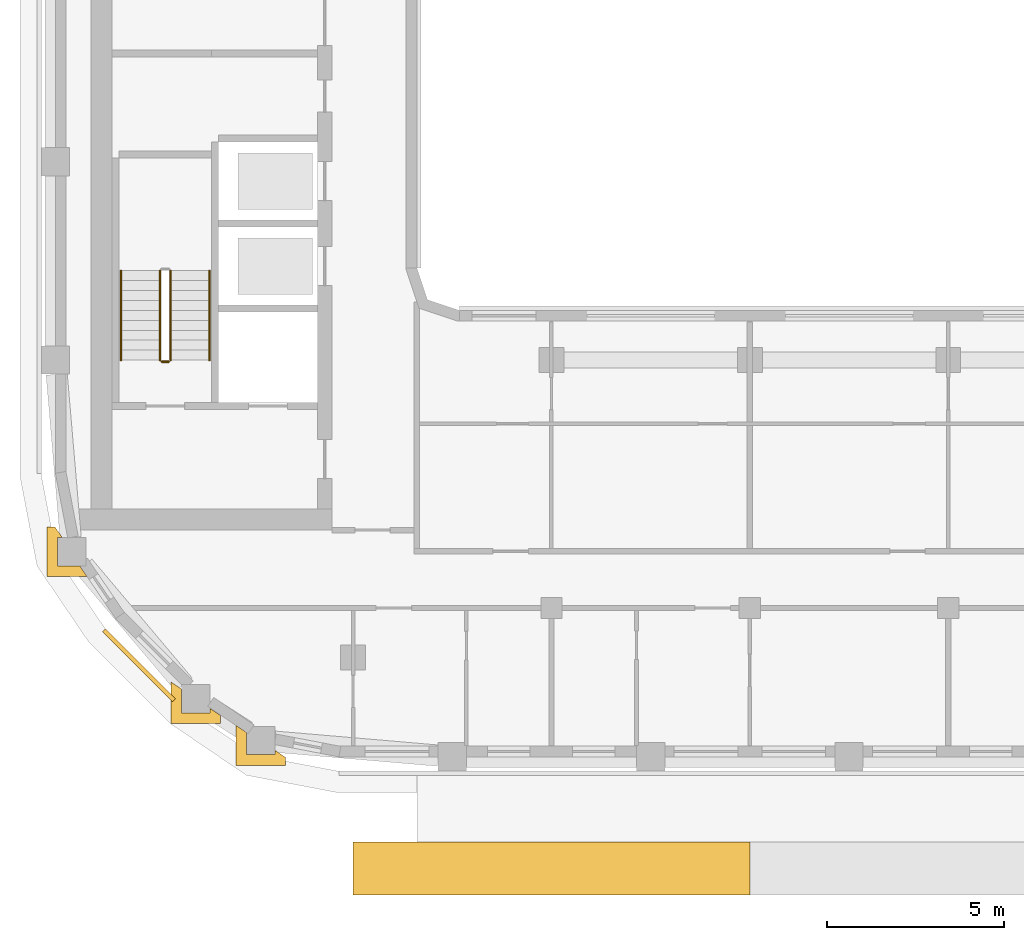
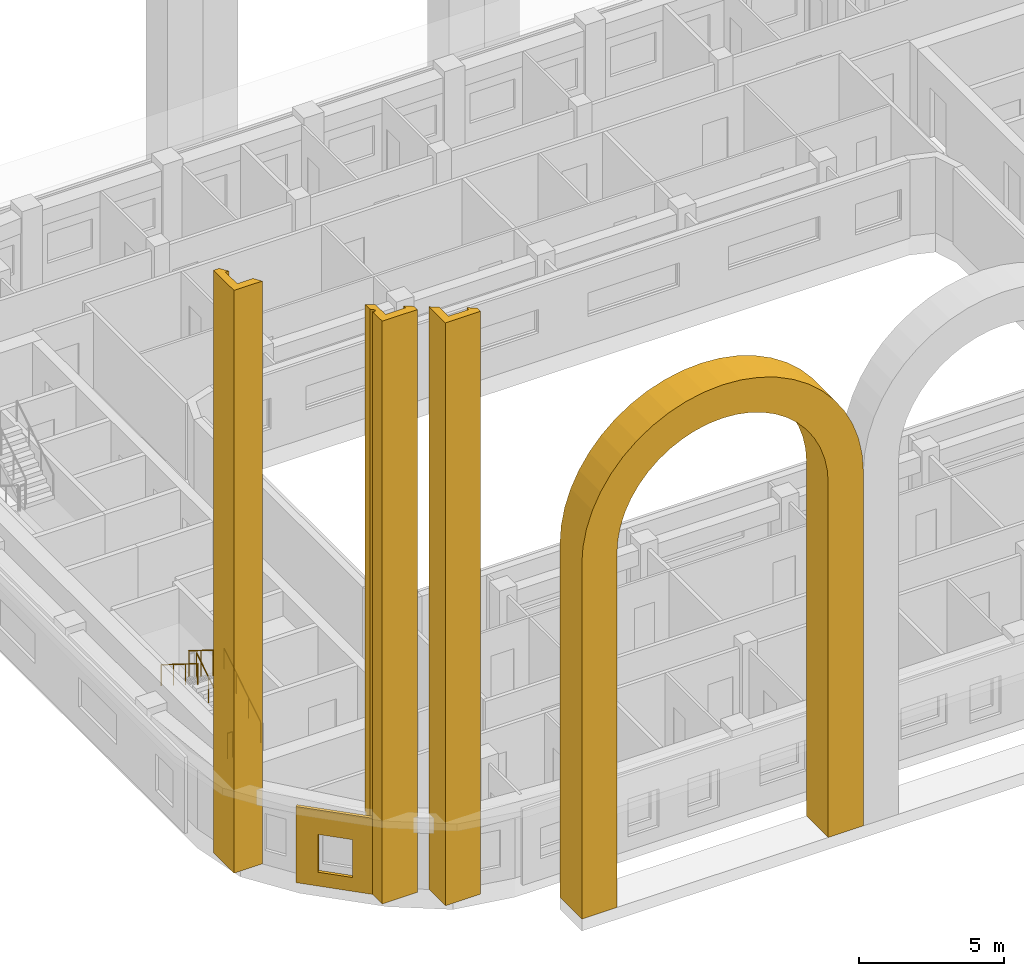
# One storey, part 10 of 19: 5 coverings, 5 railings.
"""IFC4 building model written with IfcOpenShell, lengths in metres."""

from ifc_helpers import new_model, si_unit, direction, frame, origin, origin_2d, place, context, subcontext, project, spatial, polyline, circle, outline, extrude, material, layer, layer_set, type_object, element, save


model = new_model("IFC4")

# Units and contexts
model_context = context("Model", 3, precision=1e-05, world=origin(), true_north=direction((0.0, 1.0)))
body_context = subcontext(model_context, "Body", "Model", "MODEL_VIEW")
ifc_project = project(units=[si_unit("LENGTHUNIT", "METRE"), si_unit("AREAUNIT", "SQUARE_METRE"), si_unit("VOLUMEUNIT", "CUBIC_METRE"), si_unit("PLANEANGLEUNIT", "RADIAN"), si_unit("MASSUNIT", "GRAM", prefix="KILO")], contexts=[model_context])

# Site, building, storey
site_placement = place(None, origin())
site = spatial("IfcSite", under=ifc_project, at=site_placement, CompositionType="ELEMENT")
building_placement = place(site_placement, origin())
building = spatial("IfcBuilding", under=site, at=building_placement, Name="Kiln Ring Residences", CompositionType="ELEMENT")
storey_placement = place(building_placement, frame((0.0, 0.0, 241.699951171875)))
storey = spatial("IfcBuildingStorey", under=building, at=storey_placement, Name="L62", CompositionType="ELEMENT", Elevation=241.699951171875)

# Covering
ifc_material_1 = material(Name="Brick masonry, dark clay brick", Category="masonry")
ifc_layer_1 = layer(ifc_material_1, 1.39990234375)
ifc_layer_set_1 = layer_set([ifc_layer_1], Name="ARCH SURROUND 1500")
covering_type_1 = type_object("IfcCoveringType", Name="ARCH SURROUND 1500", PredefinedType="CLADDING", material=ifc_layer_set_1)
covering_1_placement = place(storey_placement, frame((-5.60009765625, -22.75, 0.5), z_axis=(0.0, 0.0, 1.0), x_axis=(-1.0, 0.0, 0.0)))
element("IfcCovering", 1, at=covering_1_placement, inside=storey, type_object=covering_type_1, Name="ARCH SURROUND Z5 S1.1", PredefinedType="CLADDING", context=body_context, shape_type="SweptSolid", body=[
    extrude(outline(polyline([(11.199951171875, 0.0), (11.199951171875, 14.900146484375), (11.152099609375, 15.630859375), (11.00927734375, 16.349365234375), (10.773681640625, 17.04296875), (10.44970703125, 17.699951171875), (10.042724609375, 18.30908203125), (9.559814453125, 18.85986328125), (9.009033203125, 19.3427734375), (8.39990234375, 19.749755859375), (7.742919921875, 20.07373046875), (7.04931640625, 20.309326171875), (6.330810546875, 20.4521484375), (5.60009765625, 20.5), (4.869140625, 20.4521484375), (4.150634765625, 20.309326171875), (3.45703125, 20.07373046875), (2.800048828125, 19.749755859375), (2.19091796875, 19.3427734375), (1.64013671875, 18.85986328125), (1.1572265625, 18.30908203125), (0.750244140625, 17.699951171875), (0.42626953125, 17.04296875), (0.19091796875, 16.349365234375), (0.0478515625, 15.630859375), (0.0, 14.900146484375), (0.0, 0.0), (1.39990234375, 0.0), (1.39990234375, 14.900146484375), (1.435791015625, 15.4482421875), (1.543212890625, 15.987060546875), (1.7197265625, 16.50732421875), (1.962646484375, 17.0), (2.267822265625, 17.456787109375), (2.630126953125, 17.869873046875), (3.043212890625, 18.232177734375), (3.5, 18.537353515625), (3.99267578125, 18.7802734375), (4.512939453125, 18.95703125), (5.0517578125, 19.064208984375), (5.60009765625, 19.10009765625), (6.148193359375, 19.064208984375), (6.68701171875, 18.95703125), (7.207275390625, 18.7802734375), (7.699951171875, 18.537353515625), (8.15673828125, 18.232177734375), (8.56982421875, 17.869873046875), (8.93212890625, 17.456787109375), (9.2373046875, 17.0), (9.480224609375, 16.50732421875), (9.656982421875, 15.987060546875), (9.76416015625, 15.4482421875), (9.800048828125, 14.900146484375), (9.800048828125, 0.0), (11.199951171875, 0.0)])), frame((0.0, 0.75, 0.0), z_axis=(0.0, -1.0, 0.0), x_axis=(1.0, 0.0, 0.0)), (0.0, 0.0, 1.0), 1.5),
])

# Railings
ifc_material_2 = material(Name="Stainless steel", Category="steel")
railing_type_1 = type_object("IfcRailingType", Name="CORE-STAIR-GUARD", PredefinedType="GUARDRAIL", material=ifc_material_2)
railing_1_placement = place(storey_placement, frame((-21.949951171875, -8.39990234375, 0.175048828125)))
element("IfcRailing", 2, at=railing_1_placement, inside=storey, type_object=railing_type_1, Name="L62 W-STS stair guard 1", PredefinedType="GUARDRAIL", context=body_context, shape_type="SweptSolid", body=[
    extrude(circle(Radius=0.02392578125, at=origin_2d()), frame((0.0, 0.0, 1.076171875), z_axis=(0.0, 0.848007534815, 0.529984170421), x_axis=(-1.0, 0.0, 0.0)), (0.0, 0.0, 1.0), 2.9716796875),
    extrude(circle(Radius=0.02099609375, at=origin_2d()), origin(), (0.0, 0.0, 1.0), 1.052001953125),
    extrude(circle(Radius=0.02099609375, at=origin_2d()), frame((0.0, 0.840087890625, 0.52490234375)), (0.0, 0.0, 1.0), 1.052001953125),
    extrude(circle(Radius=0.02099609375, at=origin_2d()), frame((0.0, 1.679931640625, 1.050048828125)), (0.0, 0.0, 1.0), 1.052001953125),
    extrude(circle(Radius=0.02099609375, at=origin_2d()), frame((0.0, 2.52001953125, 1.574951171875)), (0.0, 0.0, 1.0), 1.052001953125),
])
railing_2_placement = place(storey_placement, frame((-22.25, -5.8798828125, 1.925048828125)))
element("IfcRailing", 3, at=railing_2_placement, inside=storey, type_object=railing_type_1, Name="L62 W-STS stair guard 3", PredefinedType="GUARDRAIL", context=body_context, shape_type="SweptSolid", body=[
    extrude(circle(Radius=0.02392578125, at=origin_2d()), frame((0.0, 0.0, 1.076171875), z_axis=(0.0, -0.848007534815, 0.529984170421), x_axis=(1.0, 0.0, 0.0)), (0.0, 0.0, 1.0), 2.9716796875),
    extrude(circle(Radius=0.02099609375, at=origin_2d()), origin(), (0.0, 0.0, 1.0), 1.052001953125),
    extrude(circle(Radius=0.02099609375, at=origin_2d()), frame((0.0, -0.840087890625, 0.52490234375)), (0.0, 0.0, 1.0), 1.052001953125),
    extrude(circle(Radius=0.02099609375, at=origin_2d()), frame((0.0, -1.679931640625, 1.050048828125)), (0.0, 0.0, 1.0), 1.052001953125),
    extrude(circle(Radius=0.02099609375, at=origin_2d()), frame((0.0, -2.52001953125, 1.574951171875)), (0.0, 0.0, 1.0), 1.052001953125),
])
railing_3_placement = place(storey_placement, frame((-22.0, -8.449951171875, 0.0)))
element("IfcRailing", 4, at=railing_3_placement, inside=storey, type_object=railing_type_1, Name="L62 W-STS stair guard 4", PredefinedType="GUARDRAIL", context=body_context, shape_type="SweptSolid", body=[
    extrude(circle(Radius=0.02392578125, at=origin_2d()), frame((0.0, 0.0, 1.076171875), z_axis=(-1.0, 0.0, 0.0), x_axis=(0.0, -1.0, 0.0)), (0.0, 0.0, 1.0), 0.199951171875),
    extrude(circle(Radius=0.02099609375, at=origin_2d()), origin(), (0.0, 0.0, 1.0), 1.052001953125),
    extrude(circle(Radius=0.02099609375, at=origin_2d()), frame((-0.199951171875, 0.0, 0.0)), (0.0, 0.0, 1.0), 1.052001953125),
])
ifc_material_3 = material(Name="Stainless steel", Category="steel")
railing_type_2 = type_object("IfcRailingType", Name="CORE-STAIR-HANDRAIL", PredefinedType="HANDRAIL", material=ifc_material_3)
railing_4_placement = place(storey_placement, frame((-20.85009765625, -8.39990234375, 0.175048828125)))
element("IfcRailing", 5, at=railing_4_placement, inside=storey, type_object=railing_type_2, Name="L62 W-STS stair handrail 1", PredefinedType="HANDRAIL", context=body_context, shape_type="SweptSolid", body=[
    extrude(circle(Radius=0.02392578125, at=origin_2d()), frame((0.0, 0.0, 0.8759765625), z_axis=(0.0, 0.848007534815, 0.529984170421), x_axis=(-1.0, 0.0, 0.0)), (0.0, 0.0, 1.0), 2.9716796875),
    extrude(circle(Radius=0.02099609375, at=origin_2d()), origin(), (0.0, 0.0, 1.0), 0.851806640625),
    extrude(circle(Radius=0.02099609375, at=origin_2d()), frame((0.0, 0.840087890625, 0.52490234375)), (0.0, 0.0, 1.0), 0.851806640625),
    extrude(circle(Radius=0.02099609375, at=origin_2d()), frame((0.0, 1.679931640625, 1.050048828125)), (0.0, 0.0, 1.0), 0.851806640625),
    extrude(circle(Radius=0.02099609375, at=origin_2d()), frame((0.0, 2.52001953125, 1.574951171875)), (0.0, 0.0, 1.0), 0.851806640625),
])
railing_5_placement = place(storey_placement, frame((-23.35009765625, -5.8798828125, 1.925048828125)))
element("IfcRailing", 6, at=railing_5_placement, inside=storey, type_object=railing_type_2, Name="L62 W-STS stair handrail 2", PredefinedType="HANDRAIL", context=body_context, shape_type="SweptSolid", body=[
    extrude(circle(Radius=0.02392578125, at=origin_2d()), frame((0.0, 0.0, 0.8759765625), z_axis=(0.0, -0.848007534815, 0.529984170421), x_axis=(1.0, 0.0, 0.0)), (0.0, 0.0, 1.0), 2.9716796875),
    extrude(circle(Radius=0.02099609375, at=origin_2d()), origin(), (0.0, 0.0, 1.0), 0.851806640625),
    extrude(circle(Radius=0.02099609375, at=origin_2d()), frame((0.0, -0.840087890625, 0.52490234375)), (0.0, 0.0, 1.0), 0.851806640625),
    extrude(circle(Radius=0.02099609375, at=origin_2d()), frame((0.0, -1.679931640625, 1.050048828125)), (0.0, 0.0, 1.0), 0.851806640625),
    extrude(circle(Radius=0.02099609375, at=origin_2d()), frame((0.0, -2.52001953125, 1.574951171875)), (0.0, 0.0, 1.0), 0.851806640625),
])

# Coverings
ifc_material_4 = material(Name="Brick masonry, dark clay brick", Category="masonry")
ifc_layer_2 = layer(ifc_material_4, 0.300048828125)
ifc_layer_set_2 = layer_set([ifc_layer_2], Name="PIER CLADDING 300")
covering_type_2 = type_object("IfcCoveringType", Name="PIER CLADDING 300", PredefinedType="CLADDING", material=ifc_layer_set_2)
placement = place(storey_placement, origin())
element("IfcCovering", 7, at=placement, inside=storey, type_object=covering_type_2, Name="PIER CLADDING L62-L68", PredefinedType="CLADDING", context=body_context, shape_type="SweptSolid", body=[
    extrude(outline(polyline([(-19.80859375, -19.5380859375), (-19.80859375, -18.914306640625), (-20.108642578125, -18.71044921875), (-20.108642578125, -19.838134765625), (-18.708740234375, -19.838134765625), (-18.708740234375, -19.61376953125), (-19.0087890625, -19.409912109375), (-19.0087890625, -19.5380859375), (-19.80859375, -19.5380859375)])), origin(), (0.0, 0.0, 1.0), 24.5),
])
element("IfcCovering", 8, at=placement, inside=storey, type_object=covering_type_2, Name="PIER CLADDING L62-L68", PredefinedType="CLADDING", context=body_context, shape_type="SweptSolid", body=[
    extrude(outline(polyline([(-25.2138671875, -13.108642578125), (-25.43798828125, -13.108642578125), (-25.43798828125, -14.5087890625), (-24.310546875, -14.5087890625), (-24.514404296875, -14.208740234375), (-25.13818359375, -14.208740234375), (-25.13818359375, -13.40869140625), (-25.010009765625, -13.40869140625), (-25.2138671875, -13.108642578125)])), origin(), (0.0, 0.0, 1.0), 24.5),
])
element("IfcCovering", 9, at=placement, inside=storey, type_object=covering_type_2, Name="PIER CLADDING L62-L68", PredefinedType="CLADDING", context=body_context, shape_type="SweptSolid", body=[
    extrude(outline(polyline([(-21.64013671875, -17.68798828125), (-21.940185546875, -17.484130859375), (-21.940185546875, -17.82568359375), (-21.805908203125, -17.959716796875), (-21.890625, -18.04443359375), (-21.940185546875, -17.9951171875), (-21.940185546875, -18.659912109375), (-20.540283203125, -18.659912109375), (-20.540283203125, -18.435546875), (-20.840087890625, -18.231689453125), (-20.840087890625, -18.35986328125), (-21.64013671875, -18.35986328125), (-21.64013671875, -17.68798828125)])), origin(), (0.0, 0.0, 1.0), 24.5),
])
ifc_material_5 = material(Name="Brick masonry, dark clay brick", Category="masonry")
ifc_layer_3 = layer(ifc_material_5, 0.1201171875)
ifc_layer_set_3 = layer_set([ifc_layer_3], Name="RAINSCREEN PANEL 120")
covering_type_3 = type_object("IfcCoveringType", Name="RAINSCREEN PANEL 120", PredefinedType="CLADDING", material=ifc_layer_set_3)
covering_5_placement = place(storey_placement, frame((-23.828125, -16.022216796875, 0.0), z_axis=(0.0, 0.0, 1.0), x_axis=(0.707063182409, -0.707150377276, 0.0)))
element("IfcCovering", 10, at=covering_5_placement, inside=storey, type_object=covering_type_3, Name="RAINSCREEN L62", PredefinedType="CLADDING", context=body_context, shape_type="SweptSolid", body=[
    extrude(outline(polyline([(0.0, 0.0), (2.800048828125, 0.0), (2.800048828125, 3.199951171875), (0.0, 3.199951171875), (0.0, 0.0)]), holes=[polyline([(0.780029296875, 2.170166015625), (0.780029296875, 0.580078125), (2.02001953125, 0.580078125), (2.02001953125, 2.170166015625), (0.780029296875, 2.170166015625)])]), frame((0.0, 0.06005859375, 0.0), z_axis=(0.0, -1.0, 0.0), x_axis=(1.0, 0.0, 0.0)), (0.0, 0.0, 1.0), 0.1201171875),
])

save(model, "model.ifc")
